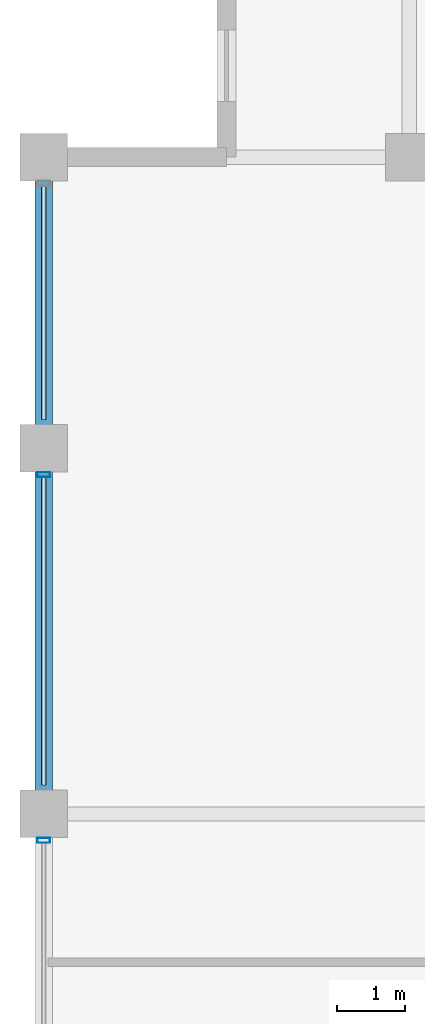
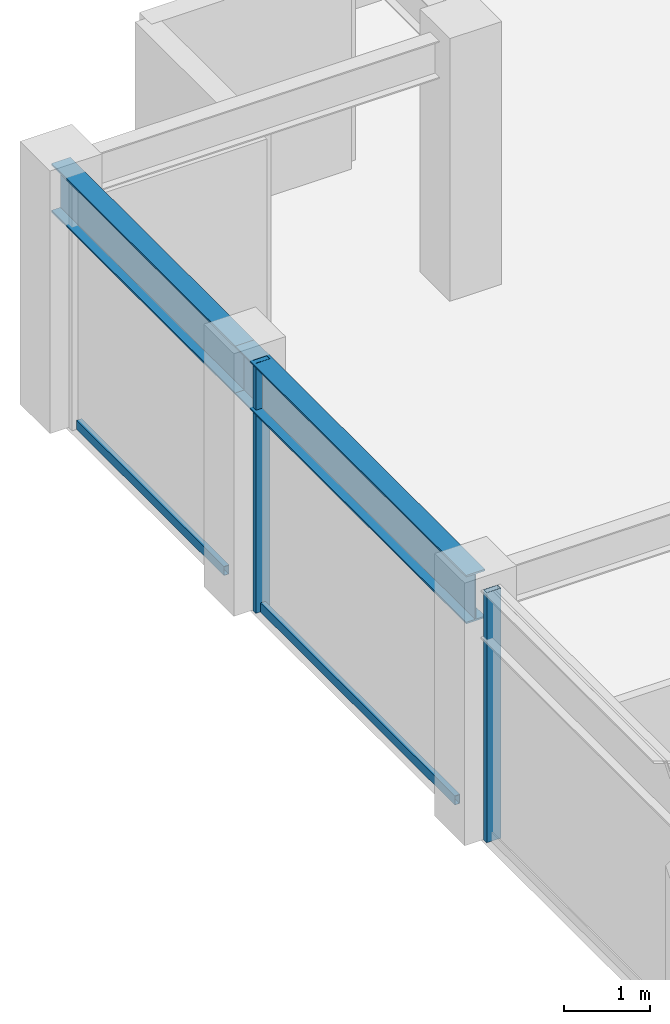
# One storey, part 14 of 31: 4 members, 2 beams, 1 element without a shape of its own.
"""IFC4 building model written with IfcOpenShell, lengths in metres."""

from ifc_helpers import new_model, si_unit, direction, frame, origin, origin_2d, place, context, subcontext, project, spatial, hollow_rectangle, i_section, extrude, material, layer, layer_set, material_profile, profile_set, type_object, element, aggregate, save


model = new_model("IFC4")

# Units and contexts
model_context = context("Model", 3, precision=1e-05, world=origin(), true_north=direction((0.0, 1.0)))
body_context = subcontext(model_context, "Body", "Model", "MODEL_VIEW")
ifc_project = project(units=[si_unit("LENGTHUNIT", "METRE"), si_unit("AREAUNIT", "SQUARE_METRE"), si_unit("VOLUMEUNIT", "CUBIC_METRE"), si_unit("PLANEANGLEUNIT", "RADIAN"), si_unit("MASSUNIT", "GRAM", prefix="KILO")], contexts=[model_context])

# Site, building, storey
site_placement = place(None, origin())
site = spatial("IfcSite", under=ifc_project, at=site_placement, CompositionType="ELEMENT")
building_placement = place(site_placement, origin())
building = spatial("IfcBuilding", under=site, at=building_placement, Name="Surkhivell Harbour Commons", CompositionType="ELEMENT")
storey_placement = place(building_placement, frame((0.0, 0.0, 288.75)))
storey = spatial("IfcBuildingStorey", under=building, at=storey_placement, Name="L75", CompositionType="ELEMENT", Elevation=288.75)

# Beams
ifc_material_1 = material(Name="Steel S355", Category="steel")
ifc_material_profile_1 = material_profile(ifc_material_1, i_section(OverallWidth=0.256103515625, OverallDepth=0.693115234375, WebThickness=0.014404296875, FlangeThickness=0.023681640625, at=origin_2d()), Name="UB686x254x170")
ifc_profile_set_1 = profile_set([ifc_material_profile_1], Name="Steel S355")
beam_type = type_object("IfcBeamType", Name="BM-SPN-686", PredefinedType="SPANDREL", material=ifc_profile_set_1)
beam_1_placement = place(storey_placement, frame((-27.0, 10.800048828125, 3.223388671875), z_axis=(0.0, 1.0, 0.0), x_axis=(-1.0, 0.0, 0.0)))
element("IfcBeam", 1, at=beam_1_placement, inside=storey, type_object=beam_type, Name="L75 Tube Spandrel (-27.0,10.8)", PredefinedType="SPANDREL", context=body_context, shape_type="SweptSolid", body=[
    extrude(i_section(OverallWidth=0.256103515625, OverallDepth=0.693115234375, WebThickness=0.014404296875, FlangeThickness=0.023681640625, at=origin_2d()), origin(), (0.0, 0.0, 1.0), 5.39990234375),
])
beam_2_placement = place(storey_placement, frame((-27.0, 16.199951171875, 3.223388671875), z_axis=(0.0, 1.0, 0.0), x_axis=(-1.0, 0.0, 0.0)))
element("IfcBeam", 2, at=beam_2_placement, inside=storey, type_object=beam_type, Name="L75 Tube Spandrel (-27.0,16.2)", PredefinedType="SPANDREL", context=body_context, shape_type="SweptSolid", body=[
    extrude(i_section(OverallWidth=0.256103515625, OverallDepth=0.693115234375, WebThickness=0.014404296875, FlangeThickness=0.023681640625, at=origin_2d()), origin(), (0.0, 0.0, 1.0), 4.300048828125),
])

# Curtain wall, members
ifc_material_2 = material(Name="Anodised pale-metal aluminium and insulated glazing", Category="aluminium")
ifc_layer = layer(ifc_material_2, 0.175048828125)
ifc_layer_set = layer_set([ifc_layer], Name="Anodised pale-metal aluminium and insulated glazing")
curtain_wall_type = type_object("IfcCurtainWallType", Name="CW-SYS-Z4", PredefinedType="NOTDEFINED", material=ifc_layer_set)
curtain_wall_placement = place(storey_placement, origin())
curtain_wall = element("IfcCurtainWall", 3, at=curtain_wall_placement, inside=storey, type_object=curtain_wall_type, Name="L75 Curtain Wall CW-L75-E12S1", PredefinedType="NOTDEFINED")
ifc_material_3 = material(Name="Anodised pale-metal aluminium alloy 6063-T6", Category="aluminium")
ifc_material_profile_2 = material_profile(ifc_material_3, hollow_rectangle(XDim=0.074951171875, YDim=0.18994140625, WallThickness=0.00390625, at=origin_2d()), Name="ALU-MULL-75x190")
ifc_profile_set_2 = profile_set([ifc_material_profile_2], Name="Anodised pale-metal aluminium alloy 6063-T6")
member_type_1 = type_object("IfcMemberType", Name="CWM-190", PredefinedType="MULLION", material=ifc_profile_set_2)
member_1_placement = place(storey_placement, frame((-27.0, 15.810546875, 0.0), z_axis=(0.0, 0.0, 1.0), x_axis=(0.0, -1.0, 0.0)))
member_1 = element("IfcMember", 4, at=member_1_placement, type_object=member_type_1, Name="CW-Z4 mullion 2", PredefinedType="MULLION", context=body_context, shape_type="SweptSolid", body=[
    extrude(hollow_rectangle(XDim=0.074951171875, YDim=0.18994140625, WallThickness=0.00390625, at=origin_2d()), origin(), (0.0, 0.0, 1.0), 3.570068359375),
])
member_2_placement = place(storey_placement, frame((-27.0, 10.410400390625, 0.0), z_axis=(0.0, 0.0, 1.0), x_axis=(0.0, -1.0, 0.0)))
member_2 = element("IfcMember", 5, at=member_2_placement, type_object=member_type_1, Name="CW-Z4 mullion 3", PredefinedType="MULLION", context=body_context, shape_type="SweptSolid", body=[
    extrude(hollow_rectangle(XDim=0.074951171875, YDim=0.18994140625, WallThickness=0.00390625, at=origin_2d()), origin(), (0.0, 0.0, 1.0), 3.570068359375),
])
ifc_material_4 = material(Name="Champagne anodised aluminium alloy 6063-T6", Category="aluminium")
ifc_material_profile_3 = material_profile(ifc_material_4, hollow_rectangle(XDim=0.070068359375, YDim=0.1298828125, WallThickness=0.00341796875, at=origin_2d()), Name="ALU-TRAN-70x130")
ifc_profile_set_3 = profile_set([ifc_material_profile_3], Name="Champagne anodised aluminium alloy 6063-T6")
member_type_2 = type_object("IfcMemberType", Name="CWT-130", PredefinedType="USERDEFINED", material=ifc_profile_set_3)
member_3_placement = place(storey_placement, frame((-27.0, 20.072998046875, 0.06494140625), z_axis=(0.0, -1.0, 0.0), x_axis=(1.0, 0.0, 0.0)))
member_3 = element("IfcMember", 6, at=member_3_placement, type_object=member_type_2, Name="CW-Z4 transom 1.1", ObjectType="TRANSOM", PredefinedType="USERDEFINED", context=body_context, shape_type="SweptSolid", body=[
    extrude(hollow_rectangle(XDim=0.070068359375, YDim=0.1298828125, WallThickness=0.00341796875, at=origin_2d()), origin(), (0.0, 0.0, 1.0), 3.446044921875),
])
member_4_placement = place(storey_placement, frame((-27.0, 15.77294921875, 0.06494140625), z_axis=(0.0, -1.0, 0.0), x_axis=(1.0, 0.0, 0.0)))
member_4 = element("IfcMember", 7, at=member_4_placement, type_object=member_type_2, Name="CW-Z4 transom 2.1", ObjectType="TRANSOM", PredefinedType="USERDEFINED", context=body_context, shape_type="SweptSolid", body=[
    extrude(hollow_rectangle(XDim=0.070068359375, YDim=0.1298828125, WallThickness=0.00341796875, at=origin_2d()), origin(), (0.0, 0.0, 1.0), 4.5458984375),
])
aggregate(curtain_wall, [member_3, member_1, member_4, member_2])

save(model, "model.ifc")
